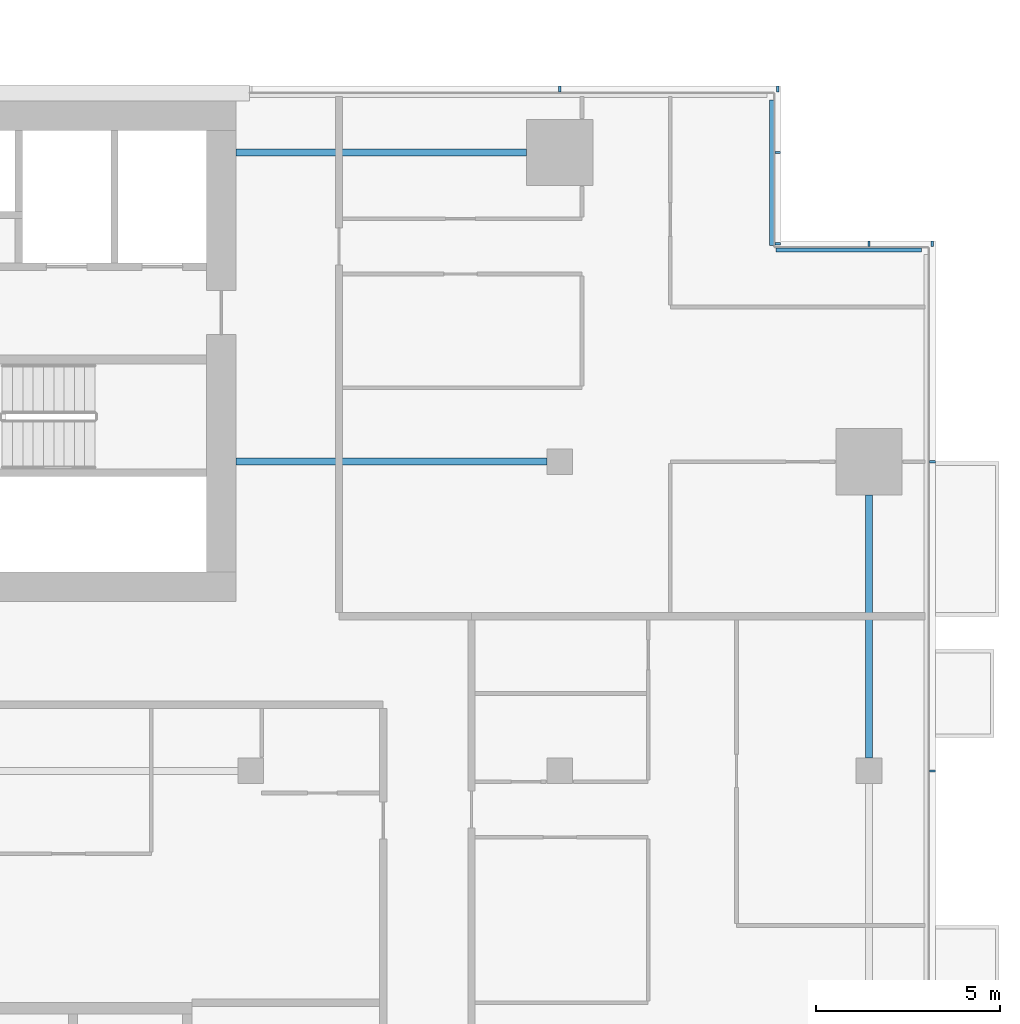
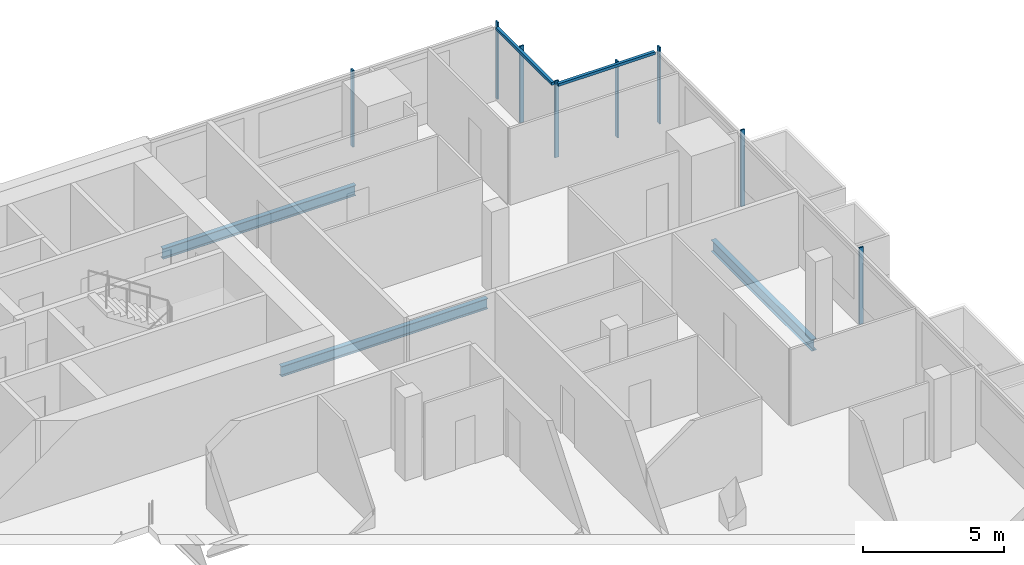
# One storey, part 13 of 28: 10 members, 3 beams, 4 elements without a shape of their own.
"""IFC4 building model written with IfcOpenShell, lengths in metres."""

from ifc_helpers import new_model, si_unit, direction, frame, origin, origin_2d, place, context, subcontext, project, spatial, rectangle, i_section, extrude, material, material_profile, profile_set, type_object, element, aggregate, save


model = new_model("IFC4")

# Units and contexts
model_context = context("Model", 3, precision=1e-05, world=origin(), true_north=direction((0.0, 1.0)))
body_context = subcontext(model_context, "Body", "Model", "MODEL_VIEW")
ifc_project = project(units=[si_unit("LENGTHUNIT", "METRE"), si_unit("AREAUNIT", "SQUARE_METRE"), si_unit("VOLUMEUNIT", "CUBIC_METRE"), si_unit("PLANEANGLEUNIT", "RADIAN"), si_unit("MASSUNIT", "GRAM", prefix="KILO")], contexts=[model_context])

# Site, building, storey
site_placement = place(None, origin())
site = spatial("IfcSite", under=ifc_project, at=site_placement, CompositionType="ELEMENT")
building_placement = place(site_placement, origin())
building = spatial("IfcBuilding", under=site, at=building_placement, Name="Saffron Gate Tower", CompositionType="ELEMENT")
storey_placement = place(building_placement, frame((0.0, 0.0, 151.050048828125)))
storey = spatial("IfcBuildingStorey", under=building, at=storey_placement, Name="L36", CompositionType="ELEMENT", Elevation=151.050048828125)

# Beams
ifc_material_1 = material(Name="Structural steel S355", Category="steel")
ifc_material_profile_1 = material_profile(ifc_material_1, i_section(OverallWidth=0.199951171875, OverallDepth=0.5, WebThickness=0.01025390625, FlangeThickness=0.01611328125, FilletRadius=0.02099609375, at=origin_2d()))
ifc_profile_set_1 = profile_set([ifc_material_profile_1], Name="Structural steel S355")
beam_type_1 = type_object("IfcBeamType", Name="B11 IPE 500", PredefinedType="SPANDREL", material=ifc_profile_set_1)
beam_1_placement = place(storey_placement, frame((125.39990234375, 57.35009765625, -0.530029296875), z_axis=(0.0, 1.0, 0.0), x_axis=(-1.0, 0.0, 0.0)))
element("IfcBeam", 1, at=beam_1_placement, inside=storey, type_object=beam_type_1, Name="B11 SPANDREL BEAM", PredefinedType="SPANDREL", context=body_context, shape_type="SweptSolid", body=[
    extrude(i_section(OverallWidth=0.199951171875, OverallDepth=0.5, WebThickness=0.01025390625, FlangeThickness=0.01611328125, FilletRadius=0.02099609375, at=origin_2d()), origin(), (0.0, 0.0, 1.0), 7.14990234375),
])
ifc_material_profile_2 = material_profile(ifc_material_1, i_section(OverallWidth=0.18994140625, OverallDepth=0.449951171875, WebThickness=0.009521484375, FlangeThickness=0.0146484375, FilletRadius=0.02099609375, at=origin_2d()))
ifc_profile_set_2 = profile_set([ifc_material_profile_2], Name="Structural steel S355")
beam_type_2 = type_object("IfcBeamType", Name="B6 IPE 450", PredefinedType="BEAM", material=ifc_profile_set_2)
beam_2_placement = place(storey_placement, frame((116.64990234375, 65.39990234375, -0.505126953125), z_axis=(-1.0, 0.0, 0.0), x_axis=(0.0, -1.0, 0.0)))
element("IfcBeam", 2, at=beam_2_placement, inside=storey, type_object=beam_type_2, Name="B6 CORE TIE BEAM", PredefinedType="BEAM", context=body_context, shape_type="SweptSolid", body=[
    extrude(i_section(OverallWidth=0.18994140625, OverallDepth=0.449951171875, WebThickness=0.009521484375, FlangeThickness=0.0146484375, FilletRadius=0.02099609375, at=origin_2d()), origin(), (0.0, 0.0, 1.0), 8.449951171875),
])
beam_3_placement = place(storey_placement, frame((116.10009765625, 73.800048828125, -0.505126953125), z_axis=(-1.0, 0.0, 0.0), x_axis=(0.0, -1.0, 0.0)))
element("IfcBeam", 3, at=beam_3_placement, inside=storey, type_object=beam_type_2, Name="B6 CORE TIE BEAM", PredefinedType="BEAM", context=body_context, shape_type="SweptSolid", body=[
    extrude(i_section(OverallWidth=0.18994140625, OverallDepth=0.449951171875, WebThickness=0.009521484375, FlangeThickness=0.0146484375, FilletRadius=0.02099609375, at=origin_2d()), origin(), (0.0, 0.0, 1.0), 7.900146484375),
])

# Curtain wall, members
ifc_material_2 = material(Name="Aluminium, bronze anodised", Category="aluminium")
curtain_wall_type_1 = type_object("IfcCurtainWallType", Name="CWS2 curtain wall side facades", PredefinedType="NOTDEFINED", material=ifc_material_2)
curtain_wall_1_placement = place(storey_placement, origin())
curtain_wall_1 = element("IfcCurtainWall", 4, at=curtain_wall_1_placement, inside=storey, type_object=curtain_wall_type_1, Name="CWS2 run 4", PredefinedType="NOTDEFINED")
ifc_material_profile_3 = material_profile(ifc_material_2, rectangle(XDim=0.159912109375, YDim=0.06005859375, at=origin_2d()))
ifc_profile_set_3 = profile_set([ifc_material_profile_3], Name="Aluminium, bronze anodised")
member_type_1 = type_object("IfcMemberType", Name="CWS2 mullion 60x160", PredefinedType="MULLION", material=ifc_profile_set_3)
member_1_placement = place(storey_placement, frame((127.1201171875, 57.0, 0.0), z_axis=(0.0, 0.0, 1.0), x_axis=(-1.0, 0.0, 0.0)))
member_1 = element("IfcMember", 5, at=member_1_placement, type_object=member_type_1, Name="CWS2 mullion 4", PredefinedType="MULLION", context=body_context, shape_type="SweptSolid", body=[
    extrude(rectangle(XDim=0.159912109375, YDim=0.06005859375, at=origin_2d()), origin(), (0.0, 0.0, 1.0), 3.320068359375),
])
member_2_placement = place(storey_placement, frame((127.1201171875, 65.39990234375, 0.0), z_axis=(0.0, 0.0, 1.0), x_axis=(-1.0, 0.0, 0.0)))
member_2 = element("IfcMember", 6, at=member_2_placement, type_object=member_type_1, Name="CWS2 mullion 5", PredefinedType="MULLION", context=body_context, shape_type="SweptSolid", body=[
    extrude(rectangle(XDim=0.159912109375, YDim=0.06005859375, at=origin_2d()), origin(), (0.0, 0.0, 1.0), 3.320068359375),
])
aggregate(curtain_wall_1, [member_1, member_2])

curtain_wall_type_2 = type_object("IfcCurtainWallType", Name="CWS3 curtain wall rear facade", PredefinedType="NOTDEFINED", material=ifc_material_2)
curtain_wall_2_placement = place(storey_placement, origin())
curtain_wall_2 = element("IfcCurtainWall", 7, at=curtain_wall_2_placement, inside=storey, type_object=curtain_wall_type_2, Name="CWS3 run 7", PredefinedType="NOTDEFINED")
ifc_material_profile_4 = material_profile(ifc_material_2, rectangle(XDim=0.159912109375, YDim=0.070068359375, at=origin_2d()))
ifc_profile_set_4 = profile_set([ifc_material_profile_4], Name="Aluminium, bronze anodised")
member_type_2 = type_object("IfcMemberType", Name="CWS3 mullion 70x160", PredefinedType="MULLION", material=ifc_profile_set_4)
member_3_placement = place(storey_placement, frame((122.919921875, 75.52001953125, 0.0), z_axis=(0.0, 0.0, 1.0), x_axis=(0.0, -1.0, 0.0)))
member_3 = element("IfcMember", 8, at=member_3_placement, type_object=member_type_2, Name="CWS3 mullion 1", PredefinedType="MULLION", context=body_context, shape_type="SweptSolid", body=[
    extrude(rectangle(XDim=0.159912109375, YDim=0.070068359375, at=origin_2d()), origin(), (0.0, 0.0, 1.0), 3.320068359375),
])
member_4_placement = place(storey_placement, frame((117.0, 75.52001953125, 0.0), z_axis=(0.0, 0.0, 1.0), x_axis=(0.0, -1.0, 0.0)))
member_4 = element("IfcMember", 9, at=member_4_placement, type_object=member_type_2, Name="CWS3 mullion 2", PredefinedType="MULLION", context=body_context, shape_type="SweptSolid", body=[
    extrude(rectangle(XDim=0.159912109375, YDim=0.070068359375, at=origin_2d()), origin(), (0.0, 0.0, 1.0), 3.320068359375),
])
aggregate(curtain_wall_2, [member_3, member_4])

# Curtain wall, member
curtain_wall_type_3 = type_object("IfcCurtainWallType", Name="CWS4 curtain wall corner returns", PredefinedType="NOTDEFINED", material=ifc_material_2)
curtain_wall_3_placement = place(storey_placement, origin())
curtain_wall_3 = element("IfcCurtainWall", 10, at=curtain_wall_3_placement, inside=storey, type_object=curtain_wall_type_3, Name="CWS4 run 5", PredefinedType="NOTDEFINED")
ifc_material_profile_5 = material_profile(ifc_material_2, rectangle(XDim=0.1201171875, YDim=0.1201171875, at=origin_2d()))
ifc_profile_set_5 = profile_set([ifc_material_profile_5], Name="Aluminium, bronze anodised")
member_type_3 = type_object("IfcMemberType", Name="CWS4 head transom", PredefinedType="USERDEFINED", material=ifc_profile_set_5)
member_5_placement = place(storey_placement, frame((126.83203125, 71.152099609375, 3.260009765625), z_axis=(-1.0, 0.0, 0.0), x_axis=(0.0, -1.0, 0.0)))
member_5 = element("IfcMember", 11, at=member_5_placement, type_object=member_type_3, Name="CWS4 head transom", ObjectType="TRANSOM", PredefinedType="USERDEFINED", context=body_context, shape_type="SweptSolid", body=[
    extrude(rectangle(XDim=0.1201171875, YDim=0.1201171875, at=origin_2d()), origin(), (0.0, 0.0, 1.0), 3.9599609375),
])

curtain_wall_4_placement = place(storey_placement, origin())
curtain_wall_4 = element("IfcCurtainWall", 12, at=curtain_wall_4_placement, inside=storey, type_object=curtain_wall_type_3, Name="CWS4 run 6", PredefinedType="NOTDEFINED")
member_6_placement = place(storey_placement, frame((122.751953125, 71.27197265625, 3.260009765625), z_axis=(0.0, 1.0, 0.0), x_axis=(-1.0, 0.0, 0.0)))
member_6 = element("IfcMember", 13, at=member_6_placement, type_object=member_type_3, Name="CWS4 head transom", ObjectType="TRANSOM", PredefinedType="USERDEFINED", context=body_context, shape_type="SweptSolid", body=[
    extrude(rectangle(XDim=0.1201171875, YDim=0.1201171875, at=origin_2d()), origin(), (0.0, 0.0, 1.0), 3.9599609375),
])

# Member
ifc_material_profile_6 = material_profile(ifc_material_2, rectangle(XDim=0.159912109375, YDim=0.06005859375, at=origin_2d()))
ifc_profile_set_6 = profile_set([ifc_material_profile_6], Name="Aluminium, bronze anodised")
member_type_4 = type_object("IfcMemberType", Name="CWS4 mullion 60x160", PredefinedType="MULLION", material=ifc_profile_set_6)
member_7_placement = place(storey_placement, frame((127.1201171875, 71.320068359375, 0.0), z_axis=(0.0, 0.0, 1.0), x_axis=(0.0, -1.0, 0.0)))
member_7 = element("IfcMember", 14, at=member_7_placement, type_object=member_type_4, Name="CWS4 mullion 1", PredefinedType="MULLION", context=body_context, shape_type="SweptSolid", body=[
    extrude(rectangle(XDim=0.159912109375, YDim=0.06005859375, at=origin_2d()), origin(), (0.0, 0.0, 1.0), 3.320068359375),
])

member_8_placement = place(storey_placement, frame((125.39990234375, 71.320068359375, 0.0), z_axis=(0.0, 0.0, 1.0), x_axis=(0.0, -1.0, 0.0)))
member_8 = element("IfcMember", 15, at=member_8_placement, type_object=member_type_4, Name="CWS4 mullion 2", PredefinedType="MULLION", context=body_context, shape_type="SweptSolid", body=[
    extrude(rectangle(XDim=0.159912109375, YDim=0.06005859375, at=origin_2d()), origin(), (0.0, 0.0, 1.0), 3.320068359375),
])

aggregate(curtain_wall_3, [member_7, member_8, member_5])

member_9_placement = place(storey_placement, frame((122.919921875, 71.320068359375, 0.0), z_axis=(0.0, 0.0, 1.0), x_axis=(-1.0, 0.0, 0.0)))
member_9 = element("IfcMember", 16, at=member_9_placement, type_object=member_type_4, Name="CWS4 mullion 1", PredefinedType="MULLION", context=body_context, shape_type="SweptSolid", body=[
    extrude(rectangle(XDim=0.159912109375, YDim=0.06005859375, at=origin_2d()), origin(), (0.0, 0.0, 1.0), 3.320068359375),
])

member_10_placement = place(storey_placement, frame((122.919921875, 73.800048828125, 0.0), z_axis=(0.0, 0.0, 1.0), x_axis=(-1.0, 0.0, 0.0)))
member_10 = element("IfcMember", 17, at=member_10_placement, type_object=member_type_4, Name="CWS4 mullion 2", PredefinedType="MULLION", context=body_context, shape_type="SweptSolid", body=[
    extrude(rectangle(XDim=0.159912109375, YDim=0.06005859375, at=origin_2d()), origin(), (0.0, 0.0, 1.0), 3.320068359375),
])

aggregate(curtain_wall_4, [member_9, member_10, member_6])

save(model, "model.ifc")
